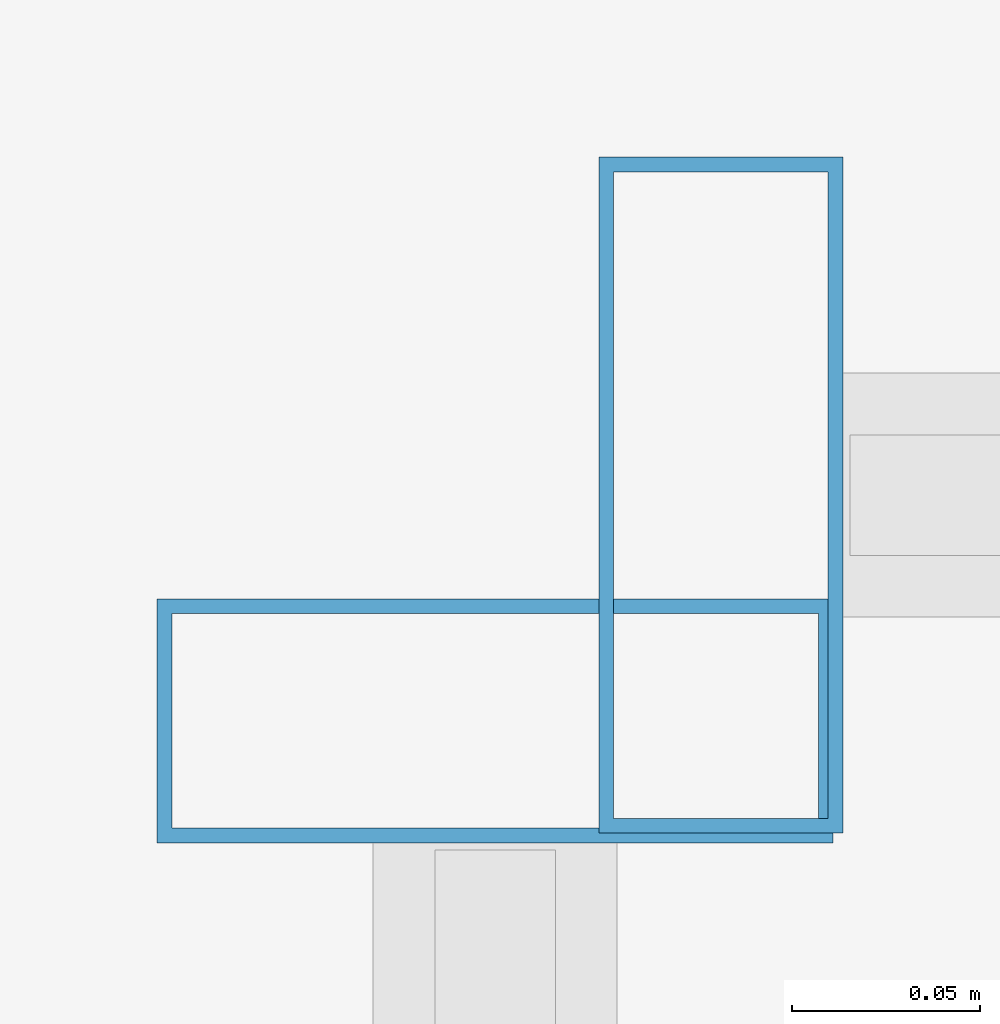
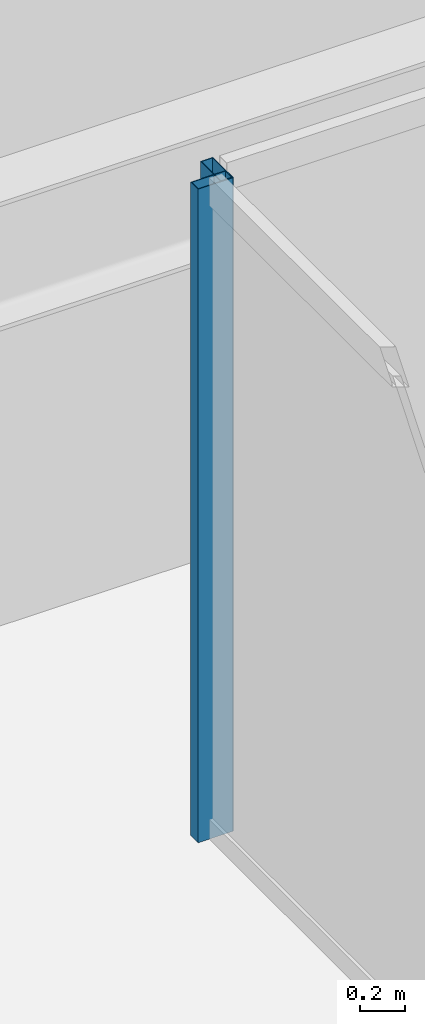
# One storey, part 11 of 36: 2 members, 2 elements without a shape of their own.
"""IFC4 building model written with IfcOpenShell, lengths in metres."""

from ifc_helpers import new_model, si_unit, direction, frame, origin, origin_2d, place, context, subcontext, project, spatial, hollow_rectangle, extrude, material, material_profile, profile_set, type_object, element, aggregate, save


model = new_model("IFC4")

# Units and contexts
model_context = context("Model", 3, precision=1e-05, world=origin(), true_north=direction((0.0, 1.0)))
body_context = subcontext(model_context, "Body", "Model", "MODEL_VIEW")
ifc_project = project(units=[si_unit("LENGTHUNIT", "METRE"), si_unit("AREAUNIT", "SQUARE_METRE"), si_unit("VOLUMEUNIT", "CUBIC_METRE"), si_unit("PLANEANGLEUNIT", "RADIAN"), si_unit("MASSUNIT", "GRAM", prefix="KILO")], contexts=[model_context])

# Site, building, storey
site_placement = place(None, origin())
site = spatial("IfcSite", under=ifc_project, at=site_placement, CompositionType="ELEMENT")
building_placement = place(site_placement, origin())
building = spatial("IfcBuilding", under=site, at=building_placement, Name="Saevonmaru Cultural Tower", CompositionType="ELEMENT")
storey_placement = place(building_placement, frame((0.0, 0.0, 148.60009765625)))
storey = spatial("IfcBuildingStorey", under=building, at=storey_placement, Name="L32", CompositionType="ELEMENT", Elevation=148.60009765625)

# Curtain wall, member
ifc_material = material(Name="Satin Bronze Anodised Aluminium", Category="aluminium")
curtain_wall_type = type_object("IfcCurtainWallType", Name="CW-ATR-GLZ", PredefinedType="NOTDEFINED", material=ifc_material)
curtain_wall_1_placement = place(storey_placement, origin())
curtain_wall_1 = element("IfcCurtainWall", 1, at=curtain_wall_1_placement, inside=storey, type_object=curtain_wall_type, Name="L32 Vertical Atrium Glazed Smoke Screen 3", PredefinedType="NOTDEFINED")
ifc_material_profile = material_profile(ifc_material, hollow_rectangle(XDim=0.06494140625, YDim=0.179931640625, WallThickness=0.00390625, at=origin_2d()), Name="ALU-MULL-180x65x4")
ifc_profile_set = profile_set([ifc_material_profile], Name="Satin Bronze Anodised Aluminium")
member_type = type_object("IfcMemberType", Name="ML-CW-INT-180x65", PredefinedType="MULLION", material=ifc_profile_set)
member_1_placement = place(storey_placement, frame((24.110107421875, 37.27001953125, 0.0), z_axis=(0.0, 0.0, 1.0), x_axis=(-1.0, 0.0, 0.0)))
member_1 = element("IfcMember", 2, at=member_1_placement, type_object=member_type, Name="CW-ATR-L32-3 mullion 2", PredefinedType="MULLION", context=body_context, shape_type="SweptSolid", body=[
    extrude(hollow_rectangle(XDim=0.06494140625, YDim=0.179931640625, WallThickness=0.00390625, at=origin_2d()), origin(), (0.0, 0.0, 1.0), 3.5498046875),
])
aggregate(curtain_wall_1, [member_1])

curtain_wall_2_placement = place(storey_placement, origin())
curtain_wall_2 = element("IfcCurtainWall", 3, at=curtain_wall_2_placement, inside=storey, type_object=curtain_wall_type, Name="L32 Vertical Atrium Glazed Smoke Screen 4", PredefinedType="NOTDEFINED")
member_2_placement = place(storey_placement, frame((24.050048828125, 37.2099609375, 0.0), z_axis=(0.0, 0.0, 1.0), x_axis=(0.0, -1.0, 0.0)))
member_2 = element("IfcMember", 4, at=member_2_placement, type_object=member_type, Name="CW-ATR-L32-4 mullion 1", PredefinedType="MULLION", context=body_context, shape_type="SweptSolid", body=[
    extrude(hollow_rectangle(XDim=0.06494140625, YDim=0.179931640625, WallThickness=0.00390625, at=origin_2d()), origin(), (0.0, 0.0, 1.0), 3.5498046875),
])
aggregate(curtain_wall_2, [member_2])

save(model, "model.ifc")
